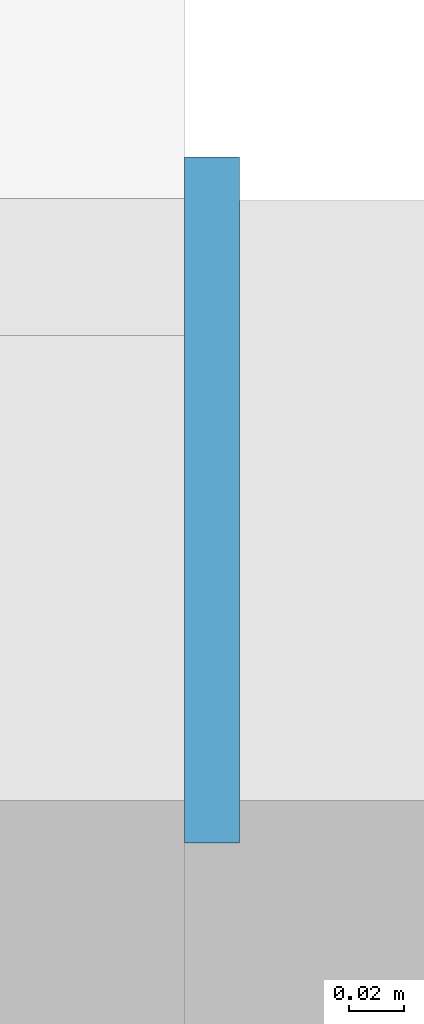
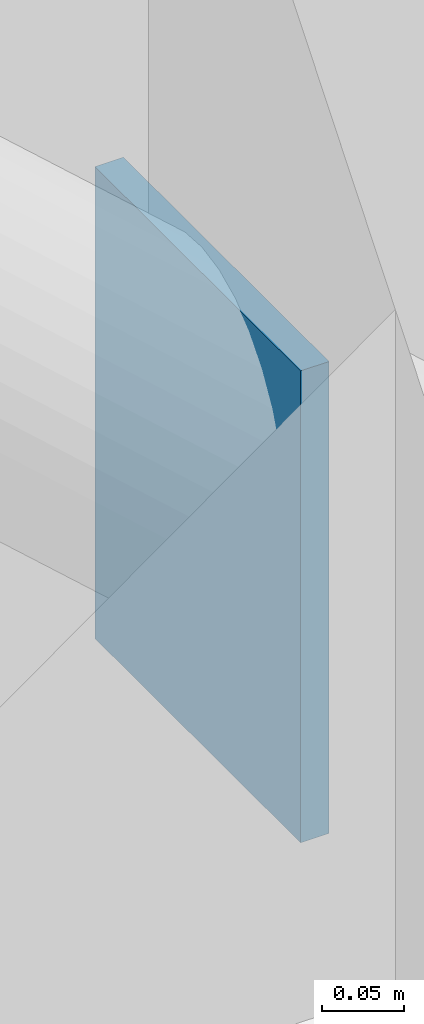
# One storey, part 47 of 63: 1 discrete accessory.
"""IFC4 building model written with IfcOpenShell, lengths in metres."""

from ifc_helpers import new_model, si_unit, direction, frame, origin, origin_2d, place, context, subcontext, project, spatial, rectangle, extrude, element, save


model = new_model("IFC4")

# Units and contexts
model_context = context("Model", 3, precision=1e-05, world=origin(), true_north=direction((0.0, 1.0)))
body_context = subcontext(model_context, "Body", "Model", "MODEL_VIEW")
ifc_project = project(units=[si_unit("LENGTHUNIT", "METRE"), si_unit("AREAUNIT", "SQUARE_METRE"), si_unit("VOLUMEUNIT", "CUBIC_METRE"), si_unit("PLANEANGLEUNIT", "RADIAN"), si_unit("MASSUNIT", "GRAM", prefix="KILO")], contexts=[model_context])

# Site, building, storey
site_placement = place(None, origin())
site = spatial("IfcSite", under=ifc_project, at=site_placement, CompositionType="ELEMENT")
building_placement = place(site_placement, origin())
building = spatial("IfcBuilding", under=site, at=building_placement, Name="Halyard Row Museum", CompositionType="ELEMENT")
storey_placement = place(building_placement, origin())
storey = spatial("IfcBuildingStorey", under=building, at=storey_placement, Name="L00", CompositionType="ELEMENT", Elevation=0.0)

# Discrete accessory
discrete_accessory_placement = place(storey_placement, frame((63.0, 45.0, 0.215087890625), z_axis=(1.0, 0.0, 0.0), x_axis=(0.0, 1.0, 0.0)))
element("IfcDiscreteAccessory", 1, at=discrete_accessory_placement, inside=storey, Name="Brace L00 Y45 54-63 B cast-in plate", PredefinedType="ANCHORPLATE", context=body_context, shape_type="SweptSolid", body=[
    extrude(rectangle(XDim=0.25, YDim=0.35009765625, at=origin_2d()), origin(), (0.0, 0.0, 1.0), 0.02001953125),
])

save(model, "model.ifc")
